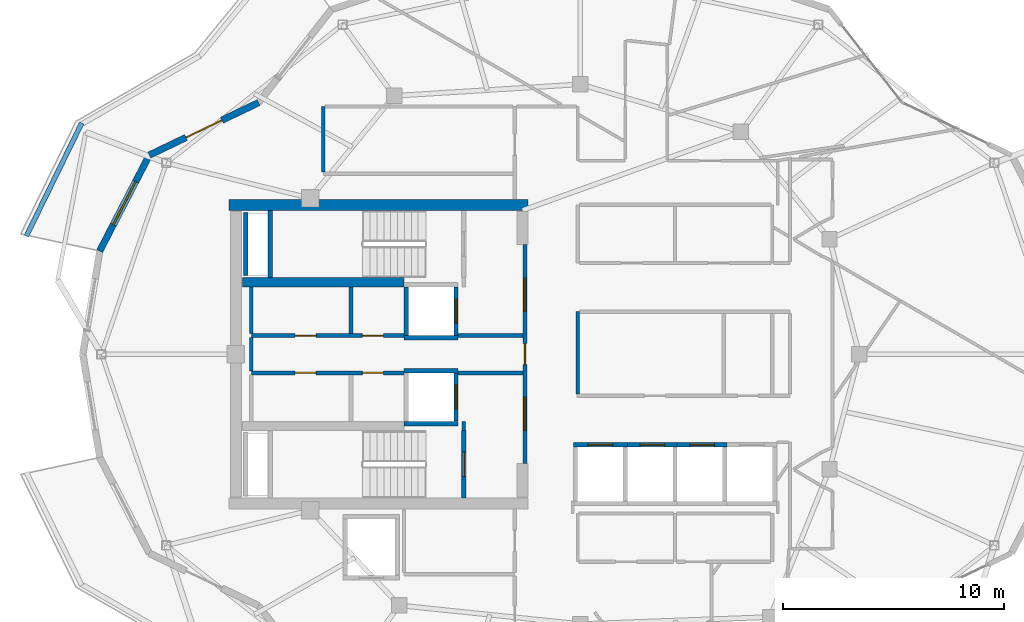
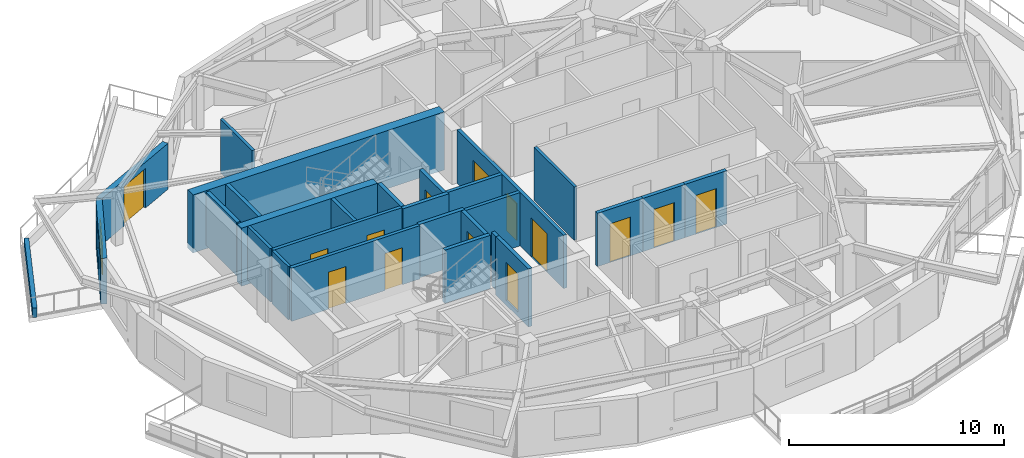
# One storey, part 8 of 14: 28 walls, 14 doors, 1 window, 15 openings.
"""IFC4 building model written with IfcOpenShell, lengths in metres."""

from ifc_helpers import new_model, si_unit, direction, frame, frame_2d, origin, place, context, subcontext, project, spatial, rectangle, extrude, material, layer, layer_set, type_object, element, fill, save


model = new_model("IFC4")

# Units and contexts
model_context = context("Model", 3, precision=1e-05, world=origin(), true_north=direction((0.0, 1.0)))
body_context = subcontext(model_context, "Body", "Model", "MODEL_VIEW")
ifc_project = project(units=[si_unit("LENGTHUNIT", "METRE"), si_unit("AREAUNIT", "SQUARE_METRE"), si_unit("VOLUMEUNIT", "CUBIC_METRE"), si_unit("PLANEANGLEUNIT", "RADIAN"), si_unit("MASSUNIT", "GRAM", prefix="KILO")], contexts=[model_context])

# Site, building, storey
site_placement = place(None, origin())
site = spatial("IfcSite", under=ifc_project, at=site_placement, CompositionType="ELEMENT")
building_placement = place(site_placement, origin())
building = spatial("IfcBuilding", under=site, at=building_placement, Name="Kolvaren Gate Tower and Convention Centre", CompositionType="ELEMENT")
storey_placement = place(building_placement, frame((0.0, 0.0, 239.300048828125)))
storey = spatial("IfcBuildingStorey", under=building, at=storey_placement, Name="L64", CompositionType="ELEMENT", Elevation=239.300048828125)

# Wall
ifc_material_1 = material(Name="Autoclaved Aerated Masonry Blockwork Class 4 (4.0 MPa)", Category="masonry")
ifc_layer_1 = layer(ifc_material_1, 0.179931640625)
ifc_layer_set_1 = layer_set([ifc_layer_1], Name="Autoclaved Aerated Masonry Blockwork Class 4 (4.0 MPa)")
wall_type_1 = type_object("IfcWallType", Name="ARCH-WL-COMP-180", PredefinedType="SOLIDWALL", material=ifc_layer_set_1)
wall_1_placement = place(storey_placement, frame((24.85009765625, 23.5400390625, 0.0), z_axis=(0.0, 0.0, 1.0), x_axis=(0.0, 1.0, 0.0)))
element("IfcWall", 1, at=wall_1_placement, inside=storey, type_object=wall_type_1, Name="Interior Partition WL-L64-INT-001", PredefinedType="SOLIDWALL", context=body_context, shape_type="SweptSolid", body=[
    extrude(rectangle(XDim=0.419921875, YDim=0.179931640625, at=frame_2d((0.2099609375, 0.0))), origin(), (0.0, 0.0, 1.0), 3.030029296875),
])

# Wall, openings, doors
wall_2_placement = place(storey_placement, frame((27.6201171875, 22.050048828125, 0.0), z_axis=(0.0, 0.0, 1.0), x_axis=(0.0, 1.0, 0.0)))
wall_2 = element("IfcWall", 2, at=wall_2_placement, inside=storey, type_object=wall_type_1, Name="Interior Partition WL-L64-INT-003", PredefinedType="SOLIDWALL", context=body_context, shape_type="SweptSolid", body=[
    extrude(rectangle(XDim=9.89990234375, YDim=0.179931640625, at=frame_2d((4.949951171875, 0.0))), origin(), (0.0, 0.0, 1.0), 3.030029296875),
])
opening_1_placement = place(wall_2_placement, frame((4.47509765625, 0.0, 0.0)))
opening_1 = element("IfcOpeningElement", 3, at=opening_1_placement, cuts=wall_2, Name="Opening DR-01", PredefinedType="OPENING", context=body_context, shape_type="SweptSolid", body=[
    extrude(rectangle(XDim=0.949951171875, YDim=2.10009765625, at=frame_2d((0.47509765625, 1.050048828125))), frame((0.0, 0.099853515625, 0.0), z_axis=(0.0, -1.0, 0.0), x_axis=(1.0, 0.0, 0.0)), (0.0, 0.0, 1.0), 0.199951171875),
])
opening_2_placement = place(wall_2_placement, frame((6.889892578125, 0.0, 0.0)))
opening_2 = element("IfcOpeningElement", 4, at=opening_2_placement, cuts=wall_2, Name="Opening DL-01", PredefinedType="OPENING", context=body_context, shape_type="SweptSolid", body=[
    extrude(rectangle(XDim=1.5, YDim=2.199951171875, at=frame_2d((0.75, 1.10009765625))), frame((0.0, 0.099853515625, 0.0), z_axis=(0.0, -1.0, 0.0), x_axis=(1.0, 0.0, 0.0)), (0.0, 0.0, 1.0), 0.199951171875),
])
opening_3_placement = place(wall_2_placement, frame((1.510009765625, 0.0, 0.0)))
opening_3 = element("IfcOpeningElement", 5, at=opening_3_placement, cuts=wall_2, Name="Opening DL-01", PredefinedType="OPENING", context=body_context, shape_type="SweptSolid", body=[
    extrude(rectangle(XDim=1.5, YDim=2.199951171875, at=frame_2d((0.75, 1.10009765625))), frame((0.0, 0.099853515625, 0.0), z_axis=(0.0, -1.0, 0.0), x_axis=(1.0, 0.0, 0.0)), (0.0, 0.0, 1.0), 0.199951171875),
])
ifc_material_2 = material(Name="Painted Architectural Steelwork ASTM A500 Grade C 345 MPa", Category="steel")
door_type_1 = type_object("IfcDoorType", Name="ARCH-DR-LOBBY-1500", OperationType="DOUBLE_DOOR_SINGLE_SWING", PredefinedType="DOOR", material=ifc_material_2)
door_1_placement = place(opening_2_placement, origin())
door_1 = element("IfcDoor", 6, at=door_1_placement, inside=storey, type_object=door_type_1, Name="North Firefighting Stair and Lift Lobby Door", OperationType="DOUBLE_DOOR_SINGLE_SWING", OverallHeight=2.199951171875, OverallWidth=1.5, PredefinedType="DOOR", context=body_context, shape_type="SweptSolid", body=[
    extrude(rectangle(XDim=1.5, YDim=2.199951171875, at=frame_2d((0.75, 1.10009765625))), frame((0.0, 0.02490234375, 0.0), z_axis=(0.0, -1.0, 0.0), x_axis=(1.0, 0.0, 0.0)), (0.0, 0.0, 1.0), 0.050048828125),
])
fill(opening_2, door_1)
door_2_placement = place(opening_3_placement, origin())
door_2 = element("IfcDoor", 7, at=door_2_placement, inside=storey, type_object=door_type_1, Name="South Firefighting Stair and Lift Lobby Door", OperationType="DOUBLE_DOOR_SINGLE_SWING", OverallHeight=2.199951171875, OverallWidth=1.5, PredefinedType="DOOR", context=body_context, shape_type="SweptSolid", body=[
    extrude(rectangle(XDim=1.5, YDim=2.199951171875, at=frame_2d((0.75, 1.10009765625))), frame((0.0, 0.02490234375, 0.0), z_axis=(0.0, -1.0, 0.0), x_axis=(1.0, 0.0, 0.0)), (0.0, 0.0, 1.0), 0.050048828125),
])
fill(opening_3, door_2)
door_type_2 = type_object("IfcDoorType", Name="ARCH-DR-RISER-950", OperationType="SINGLE_SWING_RIGHT", PredefinedType="DOOR", material=ifc_material_2)
door_3_placement = place(opening_1_placement, origin())
door_3 = element("IfcDoor", 8, at=door_3_placement, inside=storey, type_object=door_type_2, Name="Central MEP Service Corridor Door", OperationType="SINGLE_SWING_RIGHT", OverallHeight=2.10009765625, OverallWidth=0.949951171875, PredefinedType="DOOR", context=body_context, shape_type="SweptSolid", body=[
    extrude(rectangle(XDim=0.949951171875, YDim=2.10009765625, at=frame_2d((0.47509765625, 1.050048828125))), frame((0.0, 0.02490234375, 0.0), z_axis=(0.0, -1.0, 0.0), x_axis=(1.0, 0.0, 0.0)), (0.0, 0.0, 1.0), 0.050048828125),
])
fill(opening_1, door_3)

wall_3_placement = place(storey_placement, frame((15.25, 27.840087890625, 0.0), z_axis=(0.0, 0.0, 1.0), x_axis=(1.0, 0.0, 0.0)))
wall_3 = element("IfcWall", 9, at=wall_3_placement, inside=storey, type_object=wall_type_1, Name="Interior Partition WL-L64-INT-004", PredefinedType="SOLIDWALL", context=body_context, shape_type="SweptSolid", body=[
    extrude(rectangle(XDim=6.89990234375, YDim=0.179931640625, at=frame_2d((3.449951171875, 0.0))), origin(), (0.0, 0.0, 1.0), 3.030029296875),
])
opening_4_placement = place(wall_3_placement, frame((5.02001953125, 0.0, 0.0)))
opening_4 = element("IfcOpeningElement", 10, at=opening_4_placement, cuts=wall_3, Name="Opening DR-01", PredefinedType="OPENING", context=body_context, shape_type="SweptSolid", body=[
    extrude(rectangle(XDim=0.949951171875, YDim=2.10009765625, at=frame_2d((0.47509765625, 1.050048828125))), frame((0.0, 0.099853515625, 0.0), z_axis=(0.0, -1.0, 0.0), x_axis=(1.0, 0.0, 0.0)), (0.0, 0.0, 1.0), 0.199951171875),
])
opening_5_placement = place(wall_3_placement, frame((1.97998046875, 0.0, 0.0)))
opening_5 = element("IfcOpeningElement", 11, at=opening_5_placement, cuts=wall_3, Name="Opening DR-01", PredefinedType="OPENING", context=body_context, shape_type="SweptSolid", body=[
    extrude(rectangle(XDim=0.949951171875, YDim=2.10009765625, at=frame_2d((0.47509765625, 1.050048828125))), frame((0.0, 0.099853515625, 0.0), z_axis=(0.0, -1.0, 0.0), x_axis=(1.0, 0.0, 0.0)), (0.0, 0.0, 1.0), 0.199951171875),
])
door_4_placement = place(opening_4_placement, origin())
door_4 = element("IfcDoor", 12, at=door_4_placement, inside=storey, type_object=door_type_2, Name="Electrical Switchgear Closet Door", OperationType="SINGLE_SWING_LEFT", OverallHeight=2.10009765625, OverallWidth=0.949951171875, PredefinedType="DOOR", context=body_context, shape_type="SweptSolid", body=[
    extrude(rectangle(XDim=0.949951171875, YDim=2.10009765625, at=frame_2d((0.47509765625, 1.050048828125))), frame((0.0, 0.02490234375, 0.0), z_axis=(0.0, -1.0, 0.0), x_axis=(1.0, 0.0, 0.0)), (0.0, 0.0, 1.0), 0.050048828125),
])
fill(opening_4, door_4)
door_5_placement = place(opening_5_placement, origin())
door_5 = element("IfcDoor", 13, at=door_5_placement, inside=storey, type_object=door_type_2, Name="Staff Powder Washroom Door", OperationType="SINGLE_SWING_LEFT", OverallHeight=2.10009765625, OverallWidth=0.949951171875, PredefinedType="DOOR", context=body_context, shape_type="SweptSolid", body=[
    extrude(rectangle(XDim=0.949951171875, YDim=2.10009765625, at=frame_2d((0.47509765625, 1.050048828125))), frame((0.0, 0.02490234375, 0.0), z_axis=(0.0, -1.0, 0.0), x_axis=(1.0, 0.0, 0.0)), (0.0, 0.0, 1.0), 0.050048828125),
])
fill(opening_5, door_5)

# Wall
wall_4_placement = place(storey_placement, frame((24.60009765625, 27.840087890625, 0.0), z_axis=(0.0, 0.0, 1.0), x_axis=(1.0, 0.0, 0.0)))
element("IfcWall", 14, at=wall_4_placement, inside=storey, type_object=wall_type_1, Name="Interior Partition WL-L64-INT-004 (2)", PredefinedType="SOLIDWALL", context=body_context, shape_type="SweptSolid", body=[
    extrude(rectangle(XDim=2.927978515625, YDim=0.179931640625, at=frame_2d((1.4638671875, 0.0))), origin(), (0.0, 0.0, 1.0), 3.030029296875),
])

# Wall, openings, doors
wall_5_placement = place(storey_placement, frame((15.25, 26.159912109375, 0.0), z_axis=(0.0, 0.0, 1.0), x_axis=(1.0, 0.0, 0.0)))
wall_5 = element("IfcWall", 15, at=wall_5_placement, inside=storey, type_object=wall_type_1, Name="Interior Partition WL-L64-INT-005", PredefinedType="SOLIDWALL", context=body_context, shape_type="SweptSolid", body=[
    extrude(rectangle(XDim=6.89990234375, YDim=0.179931640625, at=frame_2d((3.449951171875, 0.0))), origin(), (0.0, 0.0, 1.0), 3.030029296875),
])
opening_6_placement = place(wall_5_placement, frame((5.02001953125, 0.0, 0.0)))
opening_6 = element("IfcOpeningElement", 16, at=opening_6_placement, cuts=wall_5, Name="Opening DR-01", PredefinedType="OPENING", context=body_context, shape_type="SweptSolid", body=[
    extrude(rectangle(XDim=0.949951171875, YDim=2.10009765625, at=frame_2d((0.47509765625, 1.050048828125))), frame((0.0, 0.099853515625, 0.0), z_axis=(0.0, -1.0, 0.0), x_axis=(1.0, 0.0, 0.0)), (0.0, 0.0, 1.0), 0.199951171875),
])
opening_7_placement = place(wall_5_placement, frame((1.97998046875, 0.0, 0.0)))
opening_7 = element("IfcOpeningElement", 17, at=opening_7_placement, cuts=wall_5, Name="Opening DR-01", PredefinedType="OPENING", context=body_context, shape_type="SweptSolid", body=[
    extrude(rectangle(XDim=0.949951171875, YDim=2.10009765625, at=frame_2d((0.47509765625, 1.050048828125))), frame((0.0, 0.099853515625, 0.0), z_axis=(0.0, -1.0, 0.0), x_axis=(1.0, 0.0, 0.0)), (0.0, 0.0, 1.0), 0.199951171875),
])
door_6_placement = place(opening_6_placement, origin())
door_6 = element("IfcDoor", 18, at=door_6_placement, inside=storey, type_object=door_type_2, Name="Domestic Water Meter Closet Door", OperationType="SINGLE_SWING_RIGHT", OverallHeight=2.10009765625, OverallWidth=0.949951171875, PredefinedType="DOOR", context=body_context, shape_type="SweptSolid", body=[
    extrude(rectangle(XDim=0.949951171875, YDim=2.10009765625, at=frame_2d((0.47509765625, 1.050048828125))), frame((0.0, 0.02490234375, 0.0), z_axis=(0.0, -1.0, 0.0), x_axis=(1.0, 0.0, 0.0)), (0.0, 0.0, 1.0), 0.050048828125),
])
fill(opening_6, door_6)
door_7_placement = place(opening_7_placement, origin())
door_7 = element("IfcDoor", 19, at=door_7_placement, inside=storey, type_object=door_type_2, Name="Janitor Equipment Store Door", OperationType="SINGLE_SWING_RIGHT", OverallHeight=2.10009765625, OverallWidth=0.949951171875, PredefinedType="DOOR", context=body_context, shape_type="SweptSolid", body=[
    extrude(rectangle(XDim=0.949951171875, YDim=2.10009765625, at=frame_2d((0.47509765625, 1.050048828125))), frame((0.0, 0.02490234375, 0.0), z_axis=(0.0, -1.0, 0.0), x_axis=(1.0, 0.0, 0.0)), (0.0, 0.0, 1.0), 0.050048828125),
])
fill(opening_7, door_7)

# Walls
wall_6_placement = place(storey_placement, frame((24.60009765625, 26.159912109375, 0.0), z_axis=(0.0, 0.0, 1.0), x_axis=(1.0, 0.0, 0.0)))
element("IfcWall", 20, at=wall_6_placement, inside=storey, type_object=wall_type_1, Name="Interior Partition WL-L64-INT-005 (2)", PredefinedType="SOLIDWALL", context=body_context, shape_type="SweptSolid", body=[
    extrude(rectangle(XDim=2.927978515625, YDim=0.179931640625, at=frame_2d((1.4638671875, 0.0))), origin(), (0.0, 0.0, 1.0), 3.030029296875),
])
wall_7_placement = place(storey_placement, frame((19.75, 27.931884765625, 0.0), z_axis=(0.0, 0.0, 1.0), x_axis=(0.0, 1.0, 0.0)))
element("IfcWall", 21, at=wall_7_placement, inside=storey, type_object=wall_type_1, Name="Interior Partition WL-L64-INT-008", PredefinedType="SOLIDWALL", context=body_context, shape_type="SweptSolid", body=[
    extrude(rectangle(XDim=2.106201171875, YDim=0.179931640625, at=frame_2d((1.05322265625, 0.0))), origin(), (0.0, 0.0, 1.0), 3.030029296875),
])
ifc_material_3 = material(Name="Piedmont Cream Honed Limestone Cladding", Category="masonry")
ifc_layer_2 = layer(ifc_material_3, 0.219970703125)
ifc_layer_set_2 = layer_set([ifc_layer_2], Name="Piedmont Cream Honed Limestone Cladding")
wall_type_2 = type_object("IfcWallType", Name="ARCH-WL-PLANTER-220", PredefinedType="PARAPET", material=ifc_layer_set_2)
wall_8_placement = place(storey_placement, frame((5.078857421875, 32.337646484375, 0.0), z_axis=(0.0, 0.0, 1.0), x_axis=(0.440058847499, 0.897968936399, 0.0)))
element("IfcWall", 22, at=wall_8_placement, inside=storey, type_object=wall_type_2, Name="Vertical-Forest Balcony Stone Planter Kerb PK-L64-1.3", PredefinedType="PARAPET", context=body_context, shape_type="SweptSolid", body=[
    extrude(rectangle(XDim=5.689453125, YDim=0.219970703125, at=frame_2d((2.8447265625, 0.0))), origin(), (0.0, 0.0, 1.0), 0.52001953125),
])
ifc_layer_3 = layer(ifc_material_1, 0.199951171875)
ifc_layer_set_3 = layer_set([ifc_layer_3], Name="Autoclaved Aerated Masonry Blockwork Class 4 (4.0 MPa)")
wall_type_3 = type_object("IfcWallType", Name="ARCH-WL-SHAFT-200", PredefinedType="SOLIDWALL", material=ifc_layer_set_3)
wall_9_placement = place(storey_placement, frame((22.14990234375, 27.739990234375, 0.0), z_axis=(0.0, 0.0, 1.0), x_axis=(1.0, 0.0, 0.0)))
element("IfcWall", 23, at=wall_9_placement, inside=storey, type_object=wall_type_3, Name="Elevator FF-01 L64 Fire Shaft Wall S", PredefinedType="SOLIDWALL", context=body_context, shape_type="SweptSolid", body=[
    extrude(rectangle(XDim=2.4501953125, YDim=0.199951171875, at=frame_2d((1.22509765625, 0.0))), origin(), (0.0, 0.0, 1.0), 3.030029296875),
])
wall_10_placement = place(storey_placement, frame((22.25, 27.85009765625, 0.0), z_axis=(0.0, 0.0, 1.0), x_axis=(0.0, 1.0, 0.0)))
element("IfcWall", 24, at=wall_10_placement, inside=storey, type_object=wall_type_3, Name="Elevator FF-01 L64 Fire Shaft Wall W", PredefinedType="SOLIDWALL", context=body_context, shape_type="SweptSolid", body=[
    extrude(rectangle(XDim=2.179931640625, YDim=0.199951171875, at=frame_2d((1.08984375, 0.0))), origin(), (0.0, 0.0, 1.0), 3.030029296875),
])

# Wall, opening, door
wall_11_placement = place(storey_placement, frame((24.5, 27.85009765625, 0.0), z_axis=(0.0, 0.0, 1.0), x_axis=(0.0, 1.0, 0.0)))
wall_11 = element("IfcWall", 25, at=wall_11_placement, inside=storey, type_object=wall_type_3, Name="Elevator FF-01 L64 Fire Shaft Wall E", PredefinedType="SOLIDWALL", context=body_context, shape_type="SweptSolid", body=[
    extrude(rectangle(XDim=2.179931640625, YDim=0.199951171875, at=frame_2d((1.08984375, 0.0))), origin(), (0.0, 0.0, 1.0), 3.030029296875),
])
opening_8_placement = place(wall_11_placement, frame((0.5400390625, 0.0, 0.0)))
opening_8 = element("IfcOpeningElement", 26, at=opening_8_placement, cuts=wall_11, Name="Opening LD", PredefinedType="OPENING", context=body_context, shape_type="SweptSolid", body=[
    extrude(rectangle(XDim=1.10009765625, YDim=2.199951171875, at=frame_2d((0.550048828125, 1.10009765625))), frame((0.0, 0.10986328125, 0.0), z_axis=(0.0, -1.0, 0.0), x_axis=(1.0, 0.0, 0.0)), (0.0, 0.0, 1.0), 0.219970703125),
])
ifc_material_4 = material(Name="Brushed Stainless Steel Grade 316L", Category="steel")
door_type_3 = type_object("IfcDoorType", Name="ARCH-DR-LIFT-1100", OperationType="SLIDING_TO_LEFT", PredefinedType="DOOR", material=ifc_material_4)
door_8_placement = place(opening_8_placement, origin())
door_8 = element("IfcDoor", 27, at=door_8_placement, inside=storey, type_object=door_type_3, Name="Elevator FF-01 L64 Sliding Landing Door", OperationType="SLIDING_TO_LEFT", OverallHeight=2.199951171875, OverallWidth=1.10009765625, PredefinedType="DOOR", context=body_context, shape_type="SweptSolid", body=[
    extrude(rectangle(XDim=1.10009765625, YDim=2.199951171875, at=frame_2d((0.550048828125, 1.10009765625))), frame((0.0, 0.02490234375, 0.0), z_axis=(0.0, -1.0, 0.0), x_axis=(1.0, 0.0, 0.0)), (0.0, 0.0, 1.0), 0.050048828125),
])
fill(opening_8, door_8)

# Walls
for number, where, z_axis, x_axis, name in (
    (28, (22.14990234375, 26.260009765625, 0.0), (0.0, 0.0, 1.0), (1.0, 0.0, 0.0), "Elevator FF-02 L64 Fire Shaft Wall N"),
    (29, (22.14990234375, 23.860107421875, 0.0), (0.0, 0.0, 1.0), (1.0, 0.0, 0.0), "Elevator FF-02 L64 Fire Shaft Wall S"),
):
    element("IfcWall", number, at=place(storey_placement, frame(where, z_axis=z_axis, x_axis=x_axis)), inside=storey, type_object=wall_type_3, Name=name, PredefinedType="SOLIDWALL", context=body_context, shape_type="SweptSolid", body=[
        extrude(rectangle(XDim=2.4501953125, YDim=0.199951171875, at=frame_2d((1.22509765625, 0.0))), origin(), (0.0, 0.0, 1.0), 3.030029296875),
    ])

# Wall, opening, door
wall_12_placement = place(storey_placement, frame((24.5, 23.969970703125, 0.0), z_axis=(0.0, 0.0, 1.0), x_axis=(0.0, 1.0, 0.0)))
wall_12 = element("IfcWall", 30, at=wall_12_placement, inside=storey, type_object=wall_type_3, Name="Elevator FF-02 L64 Fire Shaft Wall E", PredefinedType="SOLIDWALL", context=body_context, shape_type="SweptSolid", body=[
    extrude(rectangle(XDim=2.179931640625, YDim=0.199951171875, at=frame_2d((1.08984375, 0.0))), origin(), (0.0, 0.0, 1.0), 3.030029296875),
])
opening_9_placement = place(wall_12_placement, frame((0.5400390625, 0.0, 0.0)))
opening_9 = element("IfcOpeningElement", 31, at=opening_9_placement, cuts=wall_12, Name="Opening LD", PredefinedType="OPENING", context=body_context, shape_type="SweptSolid", body=[
    extrude(rectangle(XDim=1.10009765625, YDim=2.199951171875, at=frame_2d((0.550048828125, 1.10009765625))), frame((0.0, 0.10986328125, 0.0), z_axis=(0.0, -1.0, 0.0), x_axis=(1.0, 0.0, 0.0)), (0.0, 0.0, 1.0), 0.219970703125),
])
door_9_placement = place(opening_9_placement, origin())
door_9 = element("IfcDoor", 32, at=door_9_placement, inside=storey, type_object=door_type_3, Name="Elevator FF-02 L64 Sliding Landing Door", OperationType="SLIDING_TO_LEFT", OverallHeight=2.199951171875, OverallWidth=1.10009765625, PredefinedType="DOOR", context=body_context, shape_type="SweptSolid", body=[
    extrude(rectangle(XDim=1.10009765625, YDim=2.199951171875, at=frame_2d((0.550048828125, 1.10009765625))), frame((0.0, 0.02490234375, 0.0), z_axis=(0.0, -1.0, 0.0), x_axis=(1.0, 0.0, 0.0)), (0.0, 0.0, 1.0), 0.050048828125),
])
fill(opening_9, door_9)

wall_13_placement = place(storey_placement, frame((29.800048828125, 22.89990234375, 0.0), z_axis=(0.0, 0.0, 1.0), x_axis=(1.0, 0.0, 0.0)))
wall_13 = element("IfcWall", 33, at=wall_13_placement, inside=storey, type_object=wall_type_3, Name="Elevator PL-09 L64 Fire Shaft Wall N", PredefinedType="SOLIDWALL", context=body_context, shape_type="SweptSolid", body=[
    extrude(rectangle(XDim=2.449951171875, YDim=0.199951171875, at=frame_2d((1.22509765625, 0.0))), origin(), (0.0, 0.0, 1.0), 3.030029296875),
])
opening_10_placement = place(wall_13_placement, frame((0.675048828125, 0.0, 0.0)))
opening_10 = element("IfcOpeningElement", 34, at=opening_10_placement, cuts=wall_13, Name="Opening LD", PredefinedType="OPENING", context=body_context, shape_type="SweptSolid", body=[
    extrude(rectangle(XDim=1.10009765625, YDim=2.199951171875, at=frame_2d((0.550048828125, 1.10009765625))), frame((0.0, 0.10986328125, 0.0), z_axis=(0.0, -1.0, 0.0), x_axis=(1.0, 0.0, 0.0)), (0.0, 0.0, 1.0), 0.219970703125),
])
door_10_placement = place(opening_10_placement, origin())
door_10 = element("IfcDoor", 35, at=door_10_placement, inside=storey, type_object=door_type_3, Name="Elevator PL-09 L64 Sliding Landing Door", OperationType="SLIDING_TO_LEFT", OverallHeight=2.199951171875, OverallWidth=1.10009765625, PredefinedType="DOOR", context=body_context, shape_type="SweptSolid", body=[
    extrude(rectangle(XDim=1.10009765625, YDim=2.199951171875, at=frame_2d((0.550048828125, 1.10009765625))), frame((0.0, 0.02490234375, 0.0), z_axis=(0.0, -1.0, 0.0), x_axis=(1.0, 0.0, 0.0)), (0.0, 0.0, 1.0), 0.050048828125),
])
fill(opening_10, door_10)

wall_14_placement = place(storey_placement, frame((32.25, 22.89990234375, 0.0), z_axis=(0.0, 0.0, 1.0), x_axis=(1.0, 0.0, 0.0)))
wall_14 = element("IfcWall", 36, at=wall_14_placement, inside=storey, type_object=wall_type_3, Name="Elevator PL-10 L64 Fire Shaft Wall N", PredefinedType="SOLIDWALL", context=body_context, shape_type="SweptSolid", body=[
    extrude(rectangle(XDim=2.25, YDim=0.199951171875, at=frame_2d((1.125, 0.0))), origin(), (0.0, 0.0, 1.0), 3.030029296875),
])
opening_11_placement = place(wall_14_placement, frame((0.574951171875, 0.0, 0.0)))
opening_11 = element("IfcOpeningElement", 37, at=opening_11_placement, cuts=wall_14, Name="Opening LD", PredefinedType="OPENING", context=body_context, shape_type="SweptSolid", body=[
    extrude(rectangle(XDim=1.10009765625, YDim=2.199951171875, at=frame_2d((0.550048828125, 1.10009765625))), frame((0.0, 0.10986328125, 0.0), z_axis=(0.0, -1.0, 0.0), x_axis=(1.0, 0.0, 0.0)), (0.0, 0.0, 1.0), 0.219970703125),
])
door_11_placement = place(opening_11_placement, origin())
door_11 = element("IfcDoor", 38, at=door_11_placement, inside=storey, type_object=door_type_3, Name="Elevator PL-10 L64 Sliding Landing Door", OperationType="SLIDING_TO_LEFT", OverallHeight=2.199951171875, OverallWidth=1.10009765625, PredefinedType="DOOR", context=body_context, shape_type="SweptSolid", body=[
    extrude(rectangle(XDim=1.10009765625, YDim=2.199951171875, at=frame_2d((0.550048828125, 1.10009765625))), frame((0.0, 0.02490234375, 0.0), z_axis=(0.0, -1.0, 0.0), x_axis=(1.0, 0.0, 0.0)), (0.0, 0.0, 1.0), 0.050048828125),
])
fill(opening_11, door_11)

wall_15_placement = place(storey_placement, frame((34.5, 22.89990234375, 0.0), z_axis=(0.0, 0.0, 1.0), x_axis=(1.0, 0.0, 0.0)))
wall_15 = element("IfcWall", 39, at=wall_15_placement, inside=storey, type_object=wall_type_3, Name="Elevator PL-11 L64 Fire Shaft Wall N", PredefinedType="SOLIDWALL", context=body_context, shape_type="SweptSolid", body=[
    extrude(rectangle(XDim=2.25, YDim=0.199951171875, at=frame_2d((1.125, 0.0))), origin(), (0.0, 0.0, 1.0), 3.030029296875),
])
opening_12_placement = place(wall_15_placement, frame((0.574951171875, 0.0, 0.0)))
opening_12 = element("IfcOpeningElement", 40, at=opening_12_placement, cuts=wall_15, Name="Opening LD", PredefinedType="OPENING", context=body_context, shape_type="SweptSolid", body=[
    extrude(rectangle(XDim=1.10009765625, YDim=2.199951171875, at=frame_2d((0.550048828125, 1.10009765625))), frame((0.0, 0.10986328125, 0.0), z_axis=(0.0, -1.0, 0.0), x_axis=(1.0, 0.0, 0.0)), (0.0, 0.0, 1.0), 0.219970703125),
])
door_12_placement = place(opening_12_placement, origin())
door_12 = element("IfcDoor", 41, at=door_12_placement, inside=storey, type_object=door_type_3, Name="Elevator PL-11 L64 Sliding Landing Door", OperationType="SLIDING_TO_LEFT", OverallHeight=2.199951171875, OverallWidth=1.10009765625, PredefinedType="DOOR", context=body_context, shape_type="SweptSolid", body=[
    extrude(rectangle(XDim=1.10009765625, YDim=2.199951171875, at=frame_2d((0.550048828125, 1.10009765625))), frame((0.0, 0.02490234375, 0.0), z_axis=(0.0, -1.0, 0.0), x_axis=(1.0, 0.0, 0.0)), (0.0, 0.0, 1.0), 0.050048828125),
])
fill(opening_12, door_12)

# Wall
wall_16_placement = place(storey_placement, frame((14.989990234375, 30.550048828125, 0.0), z_axis=(0.0, 0.0, 1.0), x_axis=(0.0, 1.0, 0.0)))
element("IfcWall", 42, at=wall_16_placement, inside=storey, type_object=wall_type_3, Name="Vertical Shaft HVR L64 EI-120 Enclosure Wall W", PredefinedType="SOLIDWALL", context=body_context, shape_type="SweptSolid", body=[
    extrude(rectangle(XDim=2.849853515625, YDim=0.199951171875, at=frame_2d((1.4248046875, 0.0))), origin(), (0.0, 0.0, 1.0), 3.030029296875),
])

# Wall, opening, door
ifc_layer_4 = layer(ifc_material_3, 0.300048828125)
ifc_layer_set_4 = layer_set([ifc_layer_4], Name="Piedmont Cream Honed Limestone Cladding")
wall_type_4 = type_object("IfcWallType", Name="ARCH-WL-STONE-300", PredefinedType="SOLIDWALL", material=ifc_layer_set_4)
wall_17_placement = place(storey_placement, frame((10.639404296875, 36.0, 0.0), z_axis=(0.0, 0.0, 1.0), x_axis=(0.901355238351, 0.433080517106, 0.0)))
wall_17 = element("IfcWall", 43, at=wall_17_placement, inside=storey, type_object=wall_type_4, Name="Tower L64 Honed Stone Spandrel Wall EW-09", PredefinedType="SOLIDWALL", context=body_context, shape_type="SweptSolid", body=[
    extrude(rectangle(XDim=5.47314453125, YDim=0.300048828125, at=frame_2d((2.736572265625, 0.0))), origin(), (0.0, 0.0, 1.0), 2.60498046875),
])
opening_13_placement = place(wall_17_placement, frame((1.8369140625, 0.0, 0.0)))
opening_13 = element("IfcOpeningElement", 44, at=opening_13_placement, cuts=wall_17, Name="Opening DB-01", PredefinedType="OPENING", context=body_context, shape_type="SweptSolid", body=[
    extrude(rectangle(XDim=1.800048828125, YDim=2.25, at=frame_2d((0.89990234375, 1.125))), frame((0.0, 0.159912109375, 0.0), z_axis=(0.0, -1.0, 0.0), x_axis=(1.0, 0.0, 0.0)), (0.0, 0.0, 1.0), 0.320068359375),
])
ifc_material_5 = material(Name="Anodized Architectural Aluminium Alloy 6063-T6", Category="aluminium")
door_type_4 = type_object("IfcDoorType", Name="ARCH-DR-BALC-1800", OperationType="SLIDING_TO_LEFT", PredefinedType="DOOR", material=ifc_material_5)
door_13_placement = place(opening_13_placement, origin())
door_13 = element("IfcDoor", 45, at=door_13_placement, inside=storey, type_object=door_type_4, Name="Planted Sky Terrace Access Door DB-L64-09", OperationType="SLIDING_TO_LEFT", OverallHeight=2.25, OverallWidth=1.800048828125, PredefinedType="DOOR", context=body_context, shape_type="SweptSolid", body=[
    extrude(rectangle(XDim=1.800048828125, YDim=2.25, at=frame_2d((0.89990234375, 1.125))), frame((0.0, 0.02490234375, 0.0), z_axis=(0.0, -1.0, 0.0), x_axis=(1.0, 0.0, 0.0)), (0.0, 0.0, 1.0), 0.050048828125),
])
fill(opening_13, door_13)

# Wall, opening, window
wall_18_placement = place(storey_placement, frame((8.3916015625, 31.65869140625, 0.0), z_axis=(0.0, 0.0, 1.0), x_axis=(0.459793771602, 0.888025724625, 0.0)))
wall_18 = element("IfcWall", 46, at=wall_18_placement, inside=storey, type_object=wall_type_4, Name="Tower L64 Honed Stone Spandrel Wall EW-10", PredefinedType="SOLIDWALL", context=body_context, shape_type="SweptSolid", body=[
    extrude(rectangle(XDim=4.888671875, YDim=0.300048828125, at=frame_2d((2.4443359375, 0.0))), origin(), (0.0, 0.0, 1.0), 2.60498046875),
])
opening_14_placement = place(wall_18_placement, frame((1.343994140625, 0.0, 0.719970703125)))
opening_14 = element("IfcOpeningElement", 47, at=opening_14_placement, cuts=wall_18, Name="Opening W-03", PredefinedType="OPENING", context=body_context, shape_type="SweptSolid", body=[
    extrude(rectangle(XDim=2.199951171875, YDim=1.64990234375, at=frame_2d((1.10009765625, 0.824951171875))), frame((0.0, 0.159912109375, 0.0), z_axis=(0.0, -1.0, 0.0), x_axis=(1.0, 0.0, 0.0)), (0.0, 0.0, 1.0), 0.320068359375),
])
ifc_material_6 = material(Name="Low-E Triple Insulated Glazing Unit 44 mm", Category="glass")
window_type = type_object("IfcWindowType", Name="ARCH-WN-RES-2200", PartitioningType="SINGLE_PANEL", PredefinedType="WINDOW", material=ifc_material_6)
window_placement = place(opening_14_placement, origin())
window = element("IfcWindow", 48, at=window_placement, inside=storey, type_object=window_type, Name="Tower L64 Punched Stone Facade Window W-10", OverallHeight=1.64990234375, OverallWidth=2.199951171875, PartitioningType="SINGLE_PANEL", PredefinedType="WINDOW", context=body_context, shape_type="SweptSolid", body=[
    extrude(rectangle(XDim=2.199951171875, YDim=1.64990234375, at=frame_2d((1.10009765625, 0.824951171875))), frame((0.0, 0.030029296875, 0.0), z_axis=(0.0, -1.0, 0.0), x_axis=(1.0, 0.0, 0.0)), (0.0, 0.0, 1.0), 0.06005859375),
])
fill(opening_14, window)

# Walls
ifc_material_7 = material(Name="Moisture-Resistant Cement-Board Acoustic Partition", Category="gypsum")
ifc_layer_5 = layer(ifc_material_7, 0.14990234375)
ifc_layer_set_5 = layer_set([ifc_layer_5], Name="Moisture-Resistant Cement-Board Acoustic Partition")
wall_type_5 = type_object("IfcWallType", Name="ARCH-WL-WET-150", PredefinedType="PARTITIONING", material=ifc_layer_set_5)
wall_19_placement = place(storey_placement, frame((15.25, 26.251953125, 0.0), z_axis=(0.0, 0.0, 1.0), x_axis=(0.0, 1.0, 0.0)))
element("IfcWall", 49, at=wall_19_placement, inside=storey, type_object=wall_type_5, Name="Interior Partition WL-L64-INT-006 (2)", PredefinedType="PARTITIONING", context=body_context, shape_type="SweptSolid", body=[
    extrude(rectangle(XDim=1.49609375, YDim=0.14990234375, at=frame_2d((0.748046875, 0.0))), origin(), (0.0, 0.0, 1.0), 3.030029296875),
])
wall_20_placement = place(storey_placement, frame((15.25, 27.931884765625, 0.0), z_axis=(0.0, 0.0, 1.0), x_axis=(0.0, 1.0, 0.0)))
element("IfcWall", 50, at=wall_20_placement, inside=storey, type_object=wall_type_5, Name="Interior Partition WL-L64-INT-006 (3)", PredefinedType="PARTITIONING", context=body_context, shape_type="SweptSolid", body=[
    extrude(rectangle(XDim=2.106201171875, YDim=0.14990234375, at=frame_2d((1.05322265625, 0.0))), origin(), (0.0, 0.0, 1.0), 3.030029296875),
])
wall_21_placement = place(storey_placement, frame((30.0, 25.197021484375, 0.0), z_axis=(0.0, 0.0, 1.0), x_axis=(0.0, 1.0, 0.0)))
element("IfcWall", 51, at=wall_21_placement, inside=storey, type_object=wall_type_5, Name="Interior Partition WL-L64-INT-015", PredefinedType="PARTITIONING", context=body_context, shape_type="SweptSolid", body=[
    extrude(rectangle(XDim=3.722900390625, YDim=0.14990234375, at=frame_2d((1.861328125, 0.0))), origin(), (0.0, 0.0, 1.0), 3.030029296875),
])
wall_22_placement = place(storey_placement, frame((18.5, 35.237060546875, 0.0), z_axis=(0.0, 0.0, 1.0), x_axis=(0.0, 1.0, 0.0)))
element("IfcWall", 52, at=wall_22_placement, inside=storey, type_object=wall_type_5, Name="Interior Partition WL-L64-INT-030", PredefinedType="PARTITIONING", context=body_context, shape_type="SweptSolid", body=[
    extrude(rectangle(XDim=2.962890625, YDim=0.14990234375, at=frame_2d((1.4814453125, 0.0))), origin(), (0.0, 0.0, 1.0), 3.030029296875),
])
ifc_material_8 = material(Name="Concrete C50/60", Category="concrete")
ifc_layer_6 = layer(ifc_material_8, 0.419921875)
ifc_layer_set_6 = layer_set([ifc_layer_6], Name="Concrete C50/60")
wall_type_6 = type_object("IfcWallType", Name="STR-WL-CONV-420", PredefinedType="SHEAR", material=ifc_layer_set_6)
wall_23_placement = place(storey_placement, frame((14.85009765625, 30.25, -0.27001953125), z_axis=(0.0, 0.0, 1.0), x_axis=(1.0, 0.0, 0.0)))
element("IfcWall", 53, at=wall_23_placement, inside=storey, type_object=wall_type_6, Name="Tower L64 Offset Core Shear Wall WN", PredefinedType="SHEAR", context=body_context, shape_type="SweptSolid", body=[
    extrude(rectangle(XDim=7.2998046875, YDim=0.419921875, at=frame_2d((3.64990234375, 0.0))), origin(), (0.0, 0.0, 1.0), 3.300048828125),
])
ifc_layer_7 = layer(ifc_material_8, 0.5)
ifc_layer_set_7 = layer_set([ifc_layer_7], Name="Concrete C50/60")
wall_type_7 = type_object("IfcWallType", Name="STR-WL-CORE-500", PredefinedType="SHEAR", material=ifc_layer_set_7)
wall_24_placement = place(storey_placement, frame((14.25, 33.75, -0.27001953125), z_axis=(0.0, 0.0, 1.0), x_axis=(1.0, 0.0, 0.0)))
element("IfcWall", 54, at=wall_24_placement, inside=storey, type_object=wall_type_7, Name="Tower L64 Offset Core Shear Wall N", PredefinedType="SHEAR", context=body_context, shape_type="SweptSolid", body=[
    extrude(rectangle(XDim=13.5, YDim=0.5, at=frame_2d((6.75, 0.0))), origin(), (0.0, 0.0, 1.0), 3.300048828125),
])
ifc_layer_8 = layer(ifc_material_8, 0.199951171875)
ifc_layer_set_8 = layer_set([ifc_layer_8], Name="Concrete C50/60")
wall_type_8 = type_object("IfcWallType", Name="STR-WL-SHAFT-200", PredefinedType="SHEAR", material=ifc_layer_set_8)
wall_25_placement = place(storey_placement, frame((16.10009765625, 30.4619140625, -0.27001953125), z_axis=(0.0, 0.0, 1.0), x_axis=(0.0, 1.0, 0.0)))
element("IfcWall", 55, at=wall_25_placement, inside=storey, type_object=wall_type_8, Name="Tower North Exit Stair ST-T1 L64 Structural Shear Enclosure Wall FAR", PredefinedType="SHEAR", context=body_context, shape_type="SweptSolid", body=[
    extrude(rectangle(XDim=3.0361328125, YDim=0.199951171875, at=frame_2d((1.51806640625, 0.0))), origin(), (0.0, 0.0, 1.0), 3.300048828125),
])

# Wall, opening, door
wall_26_placement = place(storey_placement, frame((24.85009765625, 20.501953125, -0.27001953125), z_axis=(0.0, 0.0, 1.0), x_axis=(0.0, 1.0, 0.0)))
wall_26 = element("IfcWall", 56, at=wall_26_placement, inside=storey, type_object=wall_type_8, Name="Tower South Exit Stair ST-T2 L64 Structural Shear Enclosure Wall NEAR", PredefinedType="SHEAR", context=body_context, shape_type="SweptSolid", body=[
    extrude(rectangle(XDim=3.0380859375, YDim=0.199951171875, at=frame_2d((1.51904296875, 0.0))), origin(), (0.0, 0.0, 1.0), 3.300048828125),
])
opening_15_placement = place(wall_26_placement, frame((0.968994140625, 0.0, 0.27001953125)))
opening_15 = element("IfcOpeningElement", 57, at=opening_15_placement, cuts=wall_26, Name="Opening DS-01", PredefinedType="OPENING", context=body_context, shape_type="SweptSolid", body=[
    extrude(rectangle(XDim=1.10009765625, YDim=2.14990234375, at=frame_2d((0.550048828125, 1.074951171875))), frame((0.0, 0.10986328125, 0.0), z_axis=(0.0, -1.0, 0.0), x_axis=(1.0, 0.0, 0.0)), (0.0, 0.0, 1.0), 0.219970703125),
])
door_type_5 = type_object("IfcDoorType", Name="ARCH-DR-STAIR-1100", OperationType="SINGLE_SWING_LEFT", PredefinedType="DOOR", material=ifc_material_2)
door_14_placement = place(opening_15_placement, origin())
door_14 = element("IfcDoor", 58, at=door_14_placement, inside=storey, type_object=door_type_5, Name="Tower South Exit Stair ST-T2 L64 Fire Exit Stair Door", OperationType="SINGLE_SWING_RIGHT", OverallHeight=2.14990234375, OverallWidth=1.10009765625, PredefinedType="DOOR", context=body_context, shape_type="SweptSolid", body=[
    extrude(rectangle(XDim=1.10009765625, YDim=2.14990234375, at=frame_2d((0.550048828125, 1.074951171875))), frame((0.0, 0.02490234375, 0.0), z_axis=(0.0, -1.0, 0.0), x_axis=(1.0, 0.0, 0.0)), (0.0, 0.0, 1.0), 0.050048828125),
])
fill(opening_15, door_14)

save(model, "model.ifc")
